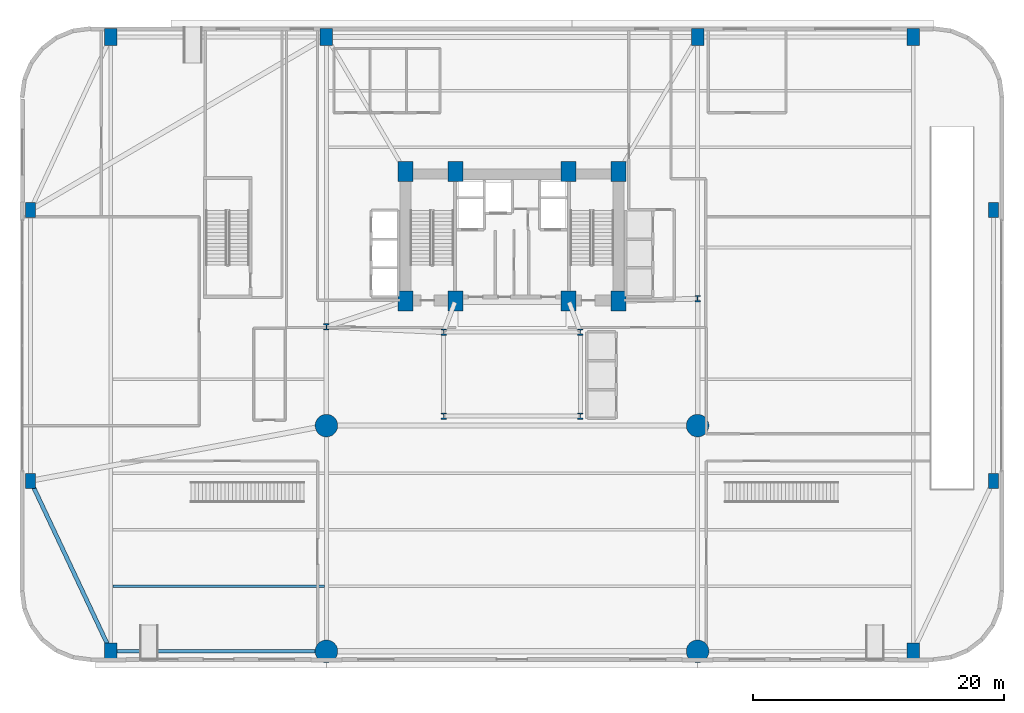
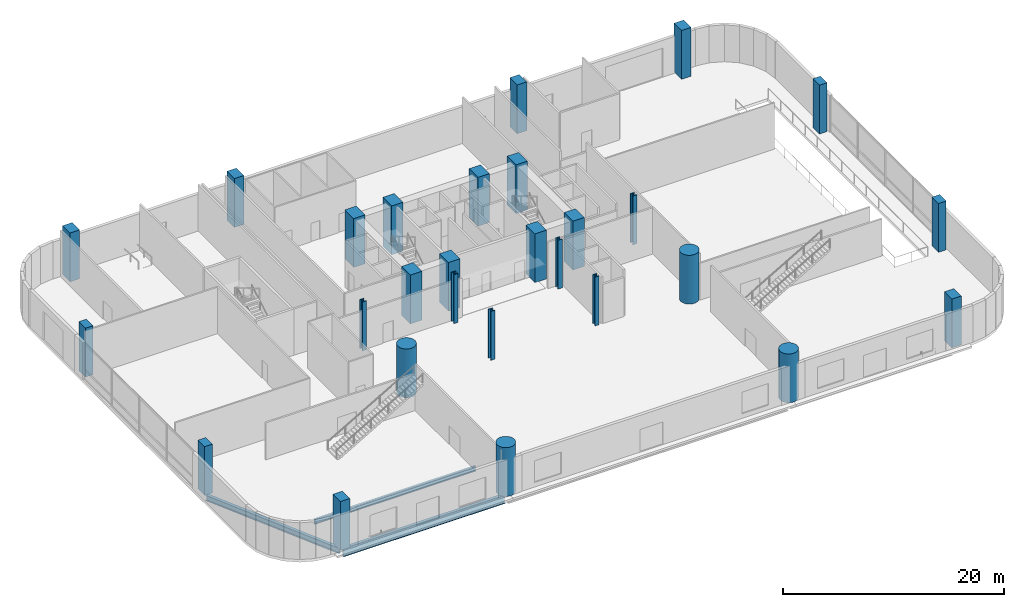
# One storey, part 1 of 26: 28 columns, 3 beams.
"""IFC4 building model written with IfcOpenShell, lengths in metres."""

from ifc_helpers import new_model, si_unit, direction, frame, origin, origin_2d, place, context, subcontext, project, spatial, rectangle, circle, i_section, extrude, material, material_profile, profile_set, type_object, element, save


model = new_model("IFC4")

# Units and contexts
model_context = context("Model", 3, precision=1e-05, world=origin(), true_north=direction((0.0, 1.0)))
body_context = subcontext(model_context, "Body", "Model", "MODEL_VIEW")
ifc_project = project(units=[si_unit("LENGTHUNIT", "METRE"), si_unit("AREAUNIT", "SQUARE_METRE"), si_unit("VOLUMEUNIT", "CUBIC_METRE"), si_unit("PLANEANGLEUNIT", "RADIAN"), si_unit("MASSUNIT", "GRAM", prefix="KILO")], contexts=[model_context])

# Site, building, storey
site_placement = place(None, origin())
site = spatial("IfcSite", under=ifc_project, at=site_placement, CompositionType="ELEMENT")
building_placement = place(site_placement, origin())
building = spatial("IfcBuilding", under=site, at=building_placement, Name="Varnelok Gate Tower", CompositionType="ELEMENT")
storey_placement = place(building_placement, origin())
storey = spatial("IfcBuildingStorey", under=building, at=storey_placement, Name="L00", CompositionType="ELEMENT", Elevation=0.0)

# Columns
ifc_material_1 = material(Name="Concrete C60/75", Category="concrete")
ifc_material_profile_1 = material_profile(ifc_material_1, rectangle(XDim=0.800048828125, YDim=1.199951171875, at=origin_2d()), Name="RC1200X800")
ifc_profile_set_1 = profile_set([ifc_material_profile_1], Name="Concrete C60/75")
column_type_1 = type_object("IfcColumnType", Name="COL-PIL-RC1200", PredefinedType="PILASTER", material=ifc_profile_set_1)
for number, where, z_axis, x_axis, name in (
    (1, (0.800048828125, 14.39990234375, 0.0), (0.0, 0.0, 1.0), (1.0, 0.0, 0.0), "L00 Podium Mega-Column PM11"),
    (2, (0.800048828125, 36.0, 0.0), (0.0, 0.0, 1.0), (1.0, 0.0, 0.0), "L00 Podium Mega-Column PM12"),
    (3, (77.60009765625, 14.39990234375, 0.0), (0.0, 0.0, 1.0), (1.0, 0.0, 0.0), "L00 Podium Mega-Column PM13"),
    (4, (77.60009765625, 36.0, 0.0), (0.0, 0.0, 1.0), (1.0, 0.0, 0.0), "L00 Podium Mega-Column PM14"),
):
    element("IfcColumn", number, at=place(storey_placement, frame(where, z_axis=z_axis, x_axis=x_axis)), inside=storey, type_object=column_type_1, Name=name, PredefinedType="PILASTER", context=body_context, shape_type="SweptSolid", body=[
        extrude(rectangle(XDim=0.800048828125, YDim=1.199951171875, at=origin_2d()), origin(), (0.0, 0.0, 1.0), 5.39990234375),
    ])
ifc_material_2 = material(Name="Concrete C70/85", Category="concrete")
ifc_material_profile_2 = material_profile(ifc_material_2, rectangle(XDim=1.0, YDim=1.35009765625, at=origin_2d()), Name="RC1350X1000")
ifc_profile_set_2 = profile_set([ifc_material_profile_2], Name="Concrete C70/85")
column_type_2 = type_object("IfcColumnType", Name="COL-RC1350X1000", PredefinedType="COLUMN", material=ifc_profile_set_2)
for number, where, z_axis, x_axis, name in (
    (5, (7.199951171875, 0.800048828125, 0.0), (0.0, 0.0, 1.0), (1.0, 0.0, 0.0), "L00 Podium Mega-Column PM01"),
    (6, (71.199951171875, 0.800048828125, 0.0), (0.0, 0.0, 1.0), (1.0, 0.0, 0.0), "L00 Podium Mega-Column PM04"),
    (7, (7.199951171875, 49.800048828125, 0.0), (0.0, 0.0, 1.0), (1.0, 0.0, 0.0), "L00 Podium Mega-Column PM07"),
    (8, (24.39990234375, 49.800048828125, 0.0), (0.0, 0.0, 1.0), (1.0, 0.0, 0.0), "L00 Podium Mega-Column PM08"),
    (9, (54.0, 49.800048828125, 0.0), (0.0, 0.0, 1.0), (1.0, 0.0, 0.0), "L00 Podium Mega-Column PM09"),
    (10, (71.199951171875, 49.800048828125, 0.0), (0.0, 0.0, 1.0), (1.0, 0.0, 0.0), "L00 Podium Mega-Column PM10"),
):
    element("IfcColumn", number, at=place(storey_placement, frame(where, z_axis=z_axis, x_axis=x_axis)), inside=storey, type_object=column_type_2, Name=name, PredefinedType="COLUMN", context=body_context, shape_type="SweptSolid", body=[
        extrude(rectangle(XDim=1.0, YDim=1.35009765625, at=origin_2d()), origin(), (0.0, 0.0, 1.0), 5.39990234375),
    ])
ifc_material_profile_3 = material_profile(ifc_material_2, rectangle(XDim=1.199951171875, YDim=1.60009765625, at=origin_2d()), Name="RC1600X1200")
ifc_profile_set_3 = profile_set([ifc_material_profile_3], Name="Concrete C70/85")
column_type_3 = type_object("IfcColumnType", Name="COL-RC1600X1200", PredefinedType="COLUMN", material=ifc_profile_set_3)
for number, where, z_axis, x_axis, name in (
    (11, (30.699951171875, 28.75, 0.0), (0.0, 0.0, 1.0), (1.0, 0.0, 0.0), "L00 Core Spine Column SC1"),
    (12, (34.679931640625, 28.75, 0.0), (0.0, 0.0, 1.0), (1.0, 0.0, 0.0), "L00 Core Spine Column SC2"),
    (13, (43.719970703125, 28.75, 0.0), (0.0, 0.0, 1.0), (1.0, 0.0, 0.0), "L00 Core Spine Column SC3"),
    (14, (47.699951171875, 28.75, 0.0), (0.0, 0.0, 1.0), (1.0, 0.0, 0.0), "L00 Core Spine Column SC4"),
    (15, (30.699951171875, 39.050048828125, 0.0), (0.0, 0.0, 1.0), (1.0, 0.0, 0.0), "L00 Core Spine Column SC5"),
    (16, (34.679931640625, 39.050048828125, 0.0), (0.0, 0.0, 1.0), (1.0, 0.0, 0.0), "L00 Core Spine Column SC6"),
    (17, (43.719970703125, 39.050048828125, 0.0), (0.0, 0.0, 1.0), (1.0, 0.0, 0.0), "L00 Core Spine Column SC7"),
    (18, (47.699951171875, 39.050048828125, 0.0), (0.0, 0.0, 1.0), (1.0, 0.0, 0.0), "L00 Core Spine Column SC8"),
):
    element("IfcColumn", number, at=place(storey_placement, frame(where, z_axis=z_axis, x_axis=x_axis)), inside=storey, type_object=column_type_3, Name=name, PredefinedType="COLUMN", context=body_context, shape_type="SweptSolid", body=[
        extrude(rectangle(XDim=1.199951171875, YDim=1.60009765625, at=origin_2d()), origin(), (0.0, 0.0, 1.0), 5.39990234375),
    ])
ifc_material_profile_4 = material_profile(ifc_material_2, circle(Radius=0.89990234375, at=origin_2d()), Name="RCD1800")
ifc_profile_set_4 = profile_set([ifc_material_profile_4], Name="Concrete C70/85")
column_type_4 = type_object("IfcColumnType", Name="COL-RCD1800", PredefinedType="COLUMN", material=ifc_profile_set_4)
for number, where, z_axis, x_axis, name in (
    (19, (24.39990234375, 0.800048828125, 0.0), (0.0, 0.0, 1.0), (1.0, 0.0, 0.0), "L00 Podium Mega-Column PM02"),
    (20, (54.0, 0.800048828125, 0.0), (0.0, 0.0, 1.0), (1.0, 0.0, 0.0), "L00 Podium Mega-Column PM03"),
    (21, (24.39990234375, 18.800048828125, 0.0), (0.0, 0.0, 1.0), (1.0, 0.0, 0.0), "L00 Podium Mega-Column PM05"),
    (22, (54.0, 18.800048828125, 0.0), (0.0, 0.0, 1.0), (1.0, 0.0, 0.0), "L00 Podium Mega-Column PM06"),
):
    element("IfcColumn", number, at=place(storey_placement, frame(where, z_axis=z_axis, x_axis=x_axis)), inside=storey, type_object=column_type_4, Name=name, PredefinedType="COLUMN", context=body_context, shape_type="SweptSolid", body=[
        extrude(circle(Radius=0.89990234375, at=origin_2d()), origin(), (0.0, 0.0, 1.0), 5.39990234375),
    ])
ifc_material_3 = material(Name="Structural Steel ASTM A992 Grade 50", Category="steel")
ifc_material_profile_5 = material_profile(ifc_material_3, i_section(OverallWidth=0.431884765625, OverallDepth=0.498046875, WebThickness=0.0556640625, FlangeThickness=0.0888671875, FilletRadius=0.02490234375, at=origin_2d()), Name="W14X500")
ifc_profile_set_5 = profile_set([ifc_material_profile_5], Name="Structural Steel ASTM A992 Grade 50")
column_type_5 = type_object("IfcColumnType", Name="COL-W14X500", PredefinedType="COLUMN", material=ifc_profile_set_5)
for number, where, z_axis, x_axis, name in (
    (23, (33.75, 19.550048828125, 0.0), (0.0, 0.0, 1.0), (1.0, 0.0, 0.0), "L00 Atrium Spine Column AC1"),
    (24, (44.64990234375, 19.550048828125, 0.0), (0.0, 0.0, 1.0), (1.0, 0.0, 0.0), "L00 Atrium Spine Column AC2"),
    (25, (33.75, 26.25, 0.0), (0.0, 0.0, 1.0), (1.0, 0.0, 0.0), "L00 Atrium Spine Column AC3"),
    (26, (44.64990234375, 26.25, 0.0), (0.0, 0.0, 1.0), (1.0, 0.0, 0.0), "L00 Atrium Spine Column AC4"),
    (27, (24.39990234375, 26.679931640625, 0.0), (0.0, 0.0, 1.0), (1.0, 0.0, 0.0), "L00 Wing Spine Column WS2"),
    (28, (54.0, 28.919921875, 0.0), (0.0, 0.0, 1.0), (1.0, 0.0, 0.0), "L00 Wing Spine Column ES2"),
):
    element("IfcColumn", number, at=place(storey_placement, frame(where, z_axis=z_axis, x_axis=x_axis)), inside=storey, type_object=column_type_5, Name=name, PredefinedType="COLUMN", context=body_context, shape_type="SweptSolid", body=[
        extrude(i_section(OverallWidth=0.431884765625, OverallDepth=0.498046875, WebThickness=0.0556640625, FlangeThickness=0.0888671875, FilletRadius=0.02490234375, at=origin_2d()), origin(), (0.0, 0.0, 1.0), 5.39990234375),
    ])

# Beams
ifc_material_profile_6 = material_profile(ifc_material_3, i_section(OverallWidth=0.2119140625, OverallDepth=0.5439453125, WebThickness=0.01318359375, FlangeThickness=0.021240234375, FilletRadius=0.01611328125, at=origin_2d()), Name="W21X83")
ifc_profile_set_6 = profile_set([ifc_material_profile_6], Name="Structural Steel ASTM A992 Grade 50")
beam_type_1 = type_object("IfcBeamType", Name="BM-JST-W21X83", PredefinedType="JOIST", material=ifc_profile_set_6)
beam_1_placement = place(storey_placement, frame((7.360107421875, 6.0, -0.592041015625), z_axis=(1.0, 0.0, 0.0), x_axis=(0.0, 1.0, 0.0)))
element("IfcBeam", 29, at=beam_1_placement, inside=storey, type_object=beam_type_1, Name="L00 Podium Floor Joist", PredefinedType="JOIST", context=body_context, shape_type="SweptSolid", body=[
    extrude(i_section(OverallWidth=0.2119140625, OverallDepth=0.5439453125, WebThickness=0.01318359375, FlangeThickness=0.021240234375, FilletRadius=0.01611328125, at=origin_2d()), origin(), (0.0, 0.0, 1.0), 16.8798828125),
])
ifc_material_profile_7 = material_profile(ifc_material_3, i_section(OverallWidth=0.30810546875, OverallDepth=0.943115234375, WebThickness=0.022216796875, FlangeThickness=0.039794921875, FilletRadius=0.02587890625, at=origin_2d()), Name="W36X232")
ifc_profile_set_7 = profile_set([ifc_material_profile_7], Name="Structural Steel ASTM A992 Grade 50")
beam_type_2 = type_object("IfcBeamType", Name="BM-PRI-W36X232", PredefinedType="BEAM", material=ifc_profile_set_7)
beam_2_placement = place(storey_placement, frame((7.340087890625, 0.800048828125, -0.79150390625), z_axis=(1.0, 0.0, 0.0), x_axis=(0.0, 1.0, 0.0)))
element("IfcBeam", 30, at=beam_2_placement, inside=storey, type_object=beam_type_2, Name="L00 Podium Primary Girder 1", PredefinedType="BEAM", context=body_context, shape_type="SweptSolid", body=[
    extrude(i_section(OverallWidth=0.30810546875, OverallDepth=0.943115234375, WebThickness=0.022216796875, FlangeThickness=0.039794921875, FilletRadius=0.02587890625, at=origin_2d()), origin(), (0.0, 0.0, 1.0), 16.919921875),
])
ifc_material_profile_8 = material_profile(ifc_material_3, i_section(OverallWidth=0.323974609375, OverallDepth=0.611083984375, WebThickness=0.0126953125, FlangeThickness=0.01904296875, FilletRadius=0.01806640625, at=origin_2d()), Name="W24X104")
ifc_profile_set_8 = profile_set([ifc_material_profile_8], Name="Structural Steel ASTM A992 Grade 50")
beam_type_3 = type_object("IfcBeamType", Name="BM-SPN-W24X104", PredefinedType="SPANDREL", material=ifc_profile_set_8)
beam_3_placement = place(storey_placement, frame((7.140380859375, 0.9267578125, -0.62548828125), z_axis=(-0.425801818887, 0.90481645157, 0.0), x_axis=(-0.90481645157, -0.425801818887, 0.0)))
element("IfcBeam", 31, at=beam_3_placement, inside=storey, type_object=beam_type_3, Name="L00 Podium Primary Girder 8", PredefinedType="SPANDREL", context=body_context, shape_type="SweptSolid", body=[
    extrude(i_section(OverallWidth=0.323974609375, OverallDepth=0.611083984375, WebThickness=0.0126953125, FlangeThickness=0.01904296875, FilletRadius=0.01806640625, at=origin_2d()), origin(), (0.0, 0.0, 1.0), 14.75048828125),
])

save(model, "model.ifc")
